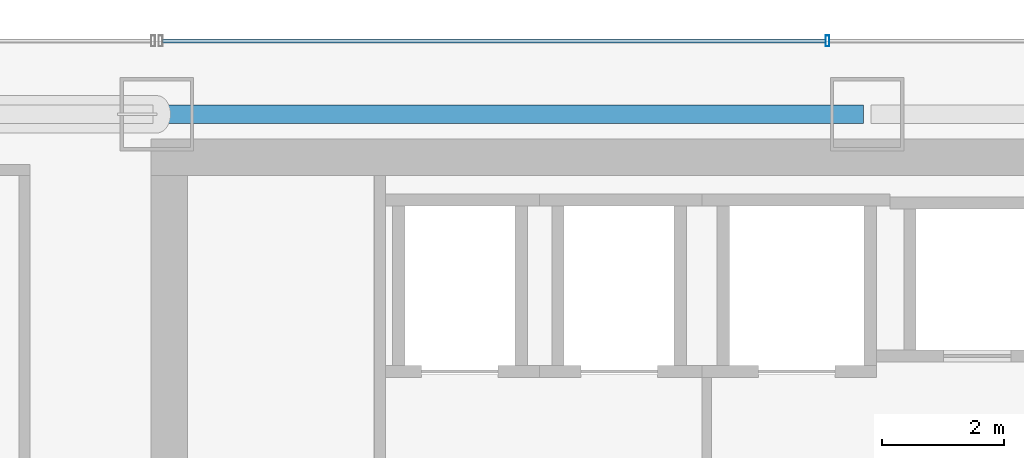
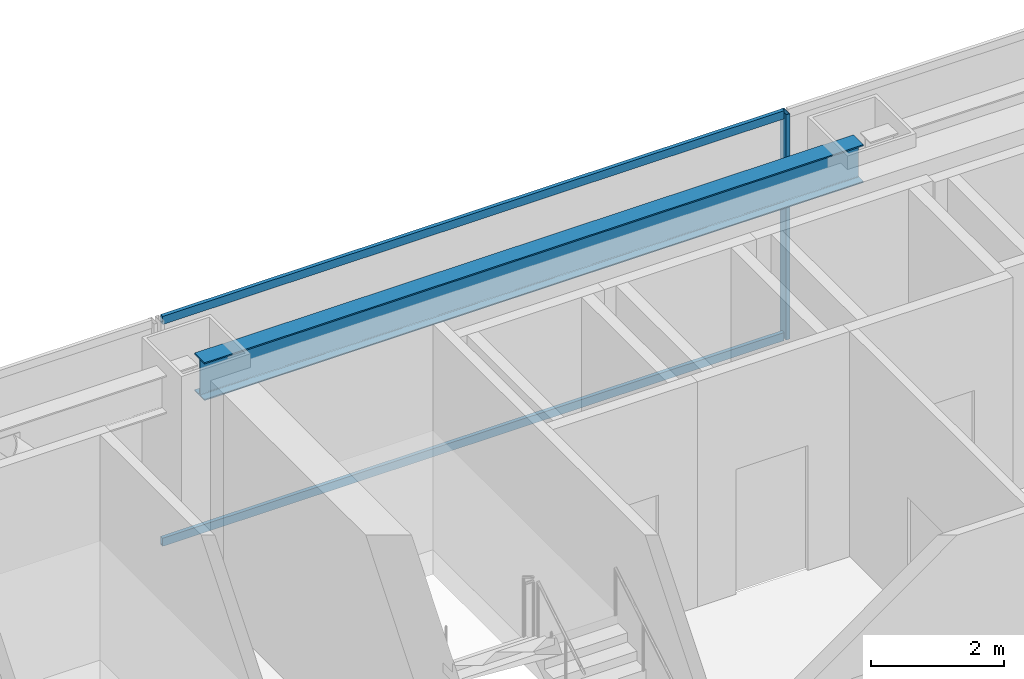
# One storey, part 27 of 49: 3 members, 1 beam, 1 element without a shape of its own.
"""IFC4 building model written with IfcOpenShell, lengths in metres."""

from ifc_helpers import new_model, si_unit, direction, frame, origin, origin_2d, place, context, subcontext, project, spatial, hollow_rectangle, i_section, extrude, material, material_profile, profile_set, type_object, element, aggregate, save


model = new_model("IFC4")

# Units and contexts
model_context = context("Model", 3, precision=1e-05, world=origin(), true_north=direction((0.0, 1.0)))
body_context = subcontext(model_context, "Body", "Model", "MODEL_VIEW")
ifc_project = project(units=[si_unit("LENGTHUNIT", "METRE"), si_unit("AREAUNIT", "SQUARE_METRE"), si_unit("VOLUMEUNIT", "CUBIC_METRE"), si_unit("PLANEANGLEUNIT", "RADIAN"), si_unit("MASSUNIT", "GRAM", prefix="KILO")], contexts=[model_context])

# Site, building, storey
site_placement = place(None, origin())
site = spatial("IfcSite", under=ifc_project, at=site_placement, CompositionType="ELEMENT")
building_placement = place(site_placement, origin())
building = spatial("IfcBuilding", under=site, at=building_placement, Name="Saevonmaru Cultural Tower", CompositionType="ELEMENT")
storey_placement = place(building_placement, frame((0.0, 0.0, 38.39990234375)))
storey = spatial("IfcBuildingStorey", under=building, at=storey_placement, Name="L07", CompositionType="ELEMENT", Elevation=38.39990234375)

# Beam
ifc_material_1 = material(Name="Steel SM355", Category="steel")
ifc_material_profile_1 = material_profile(ifc_material_1, i_section(OverallWidth=0.300048828125, OverallDepth=0.699951171875, WebThickness=0.012939453125, FlangeThickness=0.02392578125, FilletRadius=0.02587890625, at=origin_2d()), Name="H-700x300x13x24")
ifc_profile_set_1 = profile_set([ifc_material_profile_1], Name="Steel SM355")
beam_type = type_object("IfcBeamType", Name="BM-SP-H700", PredefinedType="SPANDREL", material=ifc_profile_set_1)
beam_placement = place(storey_placement, frame((13.659912109375, 54.800048828125, 3.800048828125), z_axis=(1.0, 0.0, 0.0), x_axis=(0.0, 1.0, 0.0)))
element("IfcBeam", 1, at=beam_placement, inside=storey, type_object=beam_type, Name="L07 North Spine Girder 2", PredefinedType="SPANDREL", context=body_context, shape_type="SweptSolid", body=[
    extrude(i_section(OverallWidth=0.300048828125, OverallDepth=0.699951171875, WebThickness=0.012939453125, FlangeThickness=0.02392578125, FilletRadius=0.02587890625, at=origin_2d()), origin(), (0.0, 0.0, 1.0), 11.47998046875),
])

# Curtain wall, members
ifc_material_2 = material(Name="Satin Bronze Anodised Aluminium", Category="aluminium")
curtain_wall_type = type_object("IfcCurtainWallType", Name="CW-TYP-A", PredefinedType="NOTDEFINED", material=ifc_material_2)
curtain_wall_placement = place(storey_placement, origin())
curtain_wall = element("IfcCurtainWall", 2, at=curtain_wall_placement, inside=storey, type_object=curtain_wall_type, Name="L07 North Spine Unitised Curtain Wall E10B", PredefinedType="NOTDEFINED")
ifc_material_profile_2 = material_profile(ifc_material_2, hollow_rectangle(XDim=0.06494140625, YDim=0.179931640625, WallThickness=0.00390625, at=origin_2d()), Name="ALU-MULL-180x65x4")
ifc_profile_set_2 = profile_set([ifc_material_profile_2], Name="Satin Bronze Anodised Aluminium")
member_type_1 = type_object("IfcMemberType", Name="ML-CW-180x65", PredefinedType="MULLION", material=ifc_profile_set_2)
member_1_placement = place(storey_placement, frame((24.55322265625, 56.0, 0.0), z_axis=(0.0, 0.0, 1.0), x_axis=(-1.0, 0.0, 0.0)))
member_1 = element("IfcMember", 3, at=member_1_placement, type_object=member_type_1, Name="CW-TW-L07-E10B mullion 3", PredefinedType="MULLION", context=body_context, shape_type="SweptSolid", body=[
    extrude(hollow_rectangle(XDim=0.06494140625, YDim=0.179931640625, WallThickness=0.00390625, at=origin_2d()), origin(), (0.0, 0.0, 1.0), 4.150146484375),
])
ifc_material_profile_3 = material_profile(ifc_material_2, hollow_rectangle(XDim=0.06494140625, YDim=0.14990234375, WallThickness=0.00390625, at=origin_2d()), Name="ALU-TRAN-150x65x4")
ifc_profile_set_3 = profile_set([ifc_material_profile_3], Name="Satin Bronze Anodised Aluminium")
member_type_2 = type_object("IfcMemberType", Name="TR-CW-150x65", PredefinedType="USERDEFINED", material=ifc_profile_set_3)
member_2_placement = place(storey_placement, frame((24.520751953125, 56.0, 0.03271484375), z_axis=(-1.0, 0.0, 0.0), x_axis=(0.0, -1.0, 0.0)))
member_2 = element("IfcMember", 4, at=member_2_placement, type_object=member_type_2, Name="CW-TW-L07-E10B transom 3.1", ObjectType="TRANSOM", PredefinedType="USERDEFINED", context=body_context, shape_type="SweptSolid", body=[
    extrude(hollow_rectangle(XDim=0.06494140625, YDim=0.14990234375, WallThickness=0.00390625, at=origin_2d()), origin(), (0.0, 0.0, 1.0), 10.828369140625),
])
member_3_placement = place(storey_placement, frame((24.520751953125, 56.0, 4.11767578125), z_axis=(-1.0, 0.0, 0.0), x_axis=(0.0, -1.0, 0.0)))
member_3 = element("IfcMember", 5, at=member_3_placement, type_object=member_type_2, Name="CW-TW-L07-E10B transom 3.2", ObjectType="TRANSOM", PredefinedType="USERDEFINED", context=body_context, shape_type="SweptSolid", body=[
    extrude(hollow_rectangle(XDim=0.06494140625, YDim=0.14990234375, WallThickness=0.00390625, at=origin_2d()), origin(), (0.0, 0.0, 1.0), 10.828369140625),
])
aggregate(curtain_wall, [member_1, member_2, member_3])

save(model, "model.ifc")
